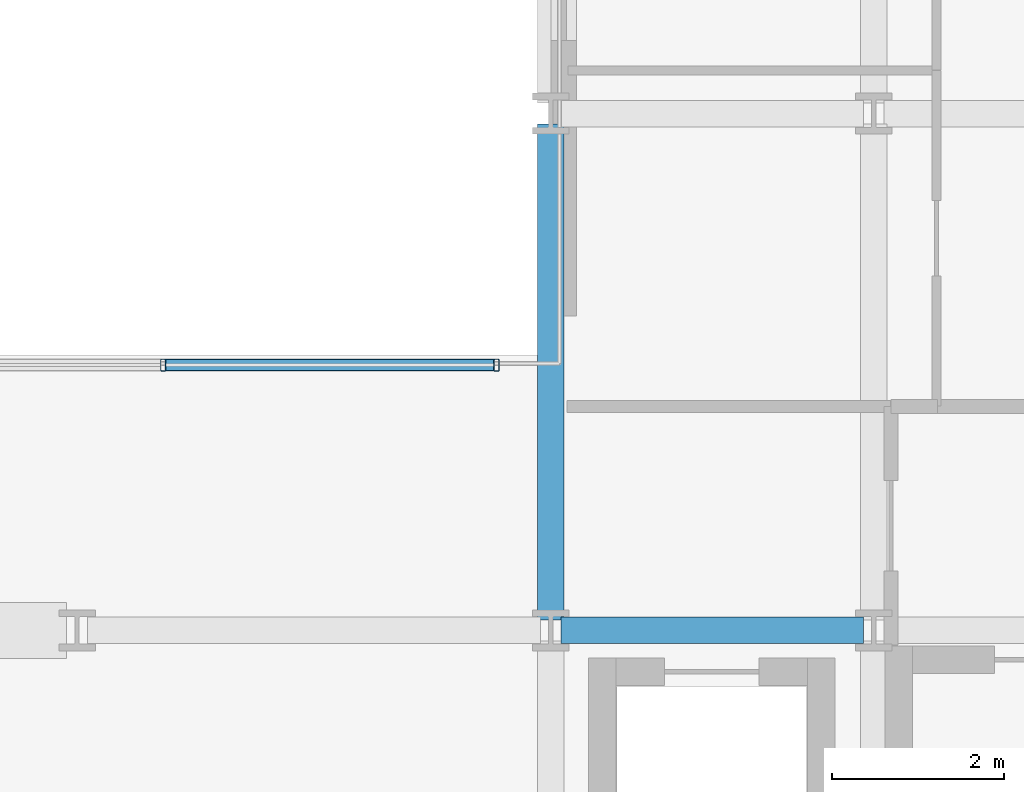
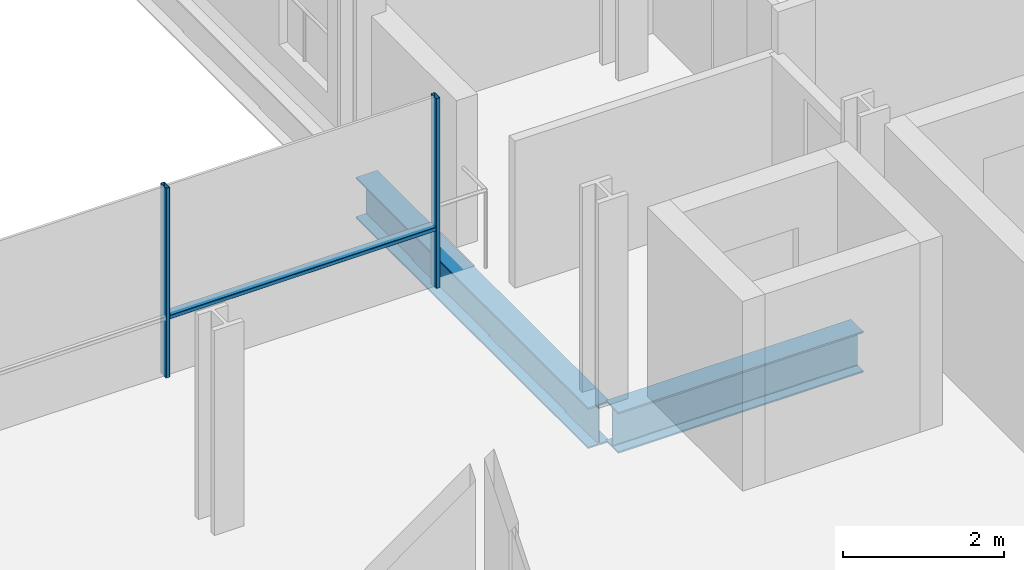
# One storey, part 13 of 39: 3 members, 2 beams, 1 element without a shape of its own.
"""IFC4 building model written with IfcOpenShell, lengths in metres."""

import ifcopenshell
import ifcopenshell.guid

model = None  # the IFC model being written
_history = None  # IfcOwnerHistory: only IFC2X3 demands one
_inside = {}  # id of a spatial element -> (the spatial element, [elements in it])
_under = {}  # id of a project, library or spatial element -> (it, [spatial elements below it])
_declared = {}  # id of a project -> (the project, [libraries it declares])
_typed = {}  # id of a type object -> (the type object, [elements of that type])
_made_of = {}  # id of a material, layer set ... -> (it, [elements and type objects made of it])


def new_model(schema):
    """Start an empty IFC model of exactly this schema.

    Asked for "IFC4X3", IfcOpenShell would pick the latest addendum, in which some entities
    have other attributes; the version numbers below select the first issue.
    IFC2X3 requires an IfcOwnerHistory on every rooted entity: one is made here for all.
    """
    global model, _history
    if schema == "IFC4X3":
        model = ifcopenshell.file(schema_version=(4, 3, 0, 0))
    else:
        model = ifcopenshell.file(schema=schema)
    _inside.clear()
    _under.clear()
    _declared.clear()
    _typed.clear()
    _made_of.clear()
    _history = None
    if model.schema == "IFC2X3":
        org = make("IfcOrganization", Name="unknown")
        user = make(
            "IfcPersonAndOrganization",
            ThePerson=make("IfcPerson", FamilyName="unknown"),
            TheOrganization=org,
        )
        app = make(
            "IfcApplication",
            ApplicationDeveloper=org,
            Version="unknown",
            ApplicationFullName="unknown",
            ApplicationIdentifier="unknown",
        )
        _history = make(
            "IfcOwnerHistory",
            OwningUser=user,
            OwningApplication=app,
            ChangeAction="ADDED",
            CreationDate=0,
        )
    return model


def make(cls, **values):
    """One entity of the class cls with the attributes given. An attribute that is None is left unset."""
    return model.create_entity(
        cls, **{name: value for name, value in values.items() if value is not None}
    )


def rooted(cls, **values):
    """An entity with a GlobalId (a new one), such as an element, a storey or a relation."""
    return make(cls, GlobalId=ifcopenshell.guid.new(), OwnerHistory=_history, **values)


def si_unit(unit_type, name, prefix=None):
    """IfcSIUnit, for example si_unit("LENGTHUNIT", "METRE", prefix="MILLI")."""
    return make("IfcSIUnit", UnitType=unit_type, Prefix=prefix, Name=name)


def assignment(units):
    """IfcUnitAssignment: the units of a project."""
    return None if units is None else make("IfcUnitAssignment", Units=units)


def point(xyz):
    """IfcCartesianPoint."""
    return None if xyz is None else make("IfcCartesianPoint", Coordinates=xyz)


def direction(xyz):
    """IfcDirection."""
    return None if xyz is None else make("IfcDirection", DirectionRatios=xyz)


def frame(location, z_axis=None, x_axis=None):
    """IfcAxis2Placement3D, a coordinate frame: its origin and axes. An axis left out is left unset."""
    return make(
        "IfcAxis2Placement3D",
        Location=point(location),
        Axis=direction(z_axis),
        RefDirection=direction(x_axis),
    )


def frame_2d(location, x_axis=None):
    """IfcAxis2Placement2D, a coordinate frame in the plane: its origin and x axis."""
    return make(
        "IfcAxis2Placement2D", Location=point(location), RefDirection=direction(x_axis)
    )


def origin():
    """The frame at (0, 0, 0) with its axes left unset."""
    return frame((0.0, 0.0, 0.0))


def origin_2d():
    """The frame at (0, 0) in the plane with its x axis left unset."""
    return frame_2d((0.0, 0.0))


def place(relative_to, where):
    """IfcLocalPlacement: puts the frame where relative to a parent placement (None: the world)."""
    return make(
        "IfcLocalPlacement", PlacementRelTo=relative_to, RelativePlacement=where
    )


def context(
    kind, dimensions, precision=None, world=None, true_north=None, identifier=None
):
    """IfcGeometricRepresentationContext, for example the 3D "Model" context."""
    return make(
        "IfcGeometricRepresentationContext",
        ContextIdentifier=identifier,
        ContextType=kind,
        CoordinateSpaceDimension=dimensions,
        Precision=precision,
        WorldCoordinateSystem=world,
        TrueNorth=true_north,
    )


def subcontext(parent, identifier, kind, view, scale=None):
    """IfcGeometricRepresentationSubContext, for example "Body" below "Model"."""
    return make(
        "IfcGeometricRepresentationSubContext",
        ContextIdentifier=identifier,
        ContextType=kind,
        ParentContext=parent,
        TargetScale=scale,
        TargetView=view,
    )


def project(units=None, contexts=None):
    """IfcProject with its units and contexts."""
    return rooted(
        "IfcProject",
        Name="project",
        RepresentationContexts=contexts,
        UnitsInContext=assignment(units),
    )


def spatial(cls, under=None, at=None, **own):
    """A site, building, storey or space (cls), placed at a placement, below another one or the project."""
    s = rooted(cls, ObjectPlacement=at, **own)
    if under is not None:
        _under.setdefault(under.id(), (under, []))[1].append(s)
    return s


def profile(cls, at=None, kind="AREA", **sizes):
    """A parametric profile (cls). Its sizes go by their IFC names, for example OverallWidth=200.0."""
    return make(cls, ProfileType=kind, Position=at, **sizes)


def hollow_rectangle(**sizes):
    """IfcRectangleHollowProfileDef."""
    return profile("IfcRectangleHollowProfileDef", **sizes)


def i_section(**sizes):
    """IfcIShapeProfileDef."""
    return profile("IfcIShapeProfileDef", **sizes)


def extrude(swept, where, along, depth):
    """IfcExtrudedAreaSolid: the profile swept, set in the frame where, extruded along a direction by depth."""
    return make(
        "IfcExtrudedAreaSolid",
        SweptArea=swept,
        Position=where,
        ExtrudedDirection=direction(along),
        Depth=depth,
    )


def shape(context_of_items, identifier, shape_type, items):
    """IfcShapeRepresentation: the items that make up one representation, for example the "Body"."""
    return make(
        "IfcShapeRepresentation",
        ContextOfItems=context_of_items,
        RepresentationIdentifier=identifier,
        RepresentationType=shape_type,
        Items=items,
    )


def material(Name=None, Category=None):
    """IfcMaterial."""
    return make("IfcMaterial", Name=Name, Category=Category)


def layer(
    of_material, thickness, ventilated=None, Name=None, Category=None, Priority=None
):
    """IfcMaterialLayer: one layer of a wall or slab, of a material (None: an air gap)."""
    return make(
        "IfcMaterialLayer",
        Material=of_material,
        LayerThickness=thickness,
        IsVentilated=ventilated,
        Name=Name,
        Category=Category,
        Priority=Priority,
    )


def layer_set(layers, Name=None):
    """IfcMaterialLayerSet."""
    return make("IfcMaterialLayerSet", MaterialLayers=layers, LayerSetName=Name)


def material_profile(
    of_material, cross_section, Name=None, Category=None, Priority=None
):
    """IfcMaterialProfile: a cross section and its material."""
    return make(
        "IfcMaterialProfile",
        Name=Name,
        Material=of_material,
        Profile=cross_section,
        Priority=Priority,
        Category=Category,
    )


def profile_set(profiles, Name=None, composite=None):
    """IfcMaterialProfileSet."""
    return make(
        "IfcMaterialProfileSet",
        Name=Name,
        MaterialProfiles=profiles,
        CompositeProfile=composite,
    )


def made_of(thing, what):
    """Note that an element or type object is made of a material, layer set ...; save() writes the relation."""
    if what is not None:
        _made_of.setdefault(what.id(), (what, []))[1].append(thing)
    return thing


def type_object(cls, material=None, **own):
    """A type object (cls), such as IfcWallType, which elements share."""
    return made_of(rooted(cls, **own), material)


def element(
    cls,
    number,
    at=None,
    inside=None,
    cuts=None,
    type_object=None,
    material=None,
    context=None,
    identifier="Body",
    shape_type=None,
    held_by="IfcProductDefinitionShape",
    body=None,
    shapes=None,
    **own,
):
    """One element of the class cls, such as IfcWall. Its Tag is "e" and its number.

    at: its placement. inside: the storey or other place that contains it. cuts: it is an
    opening in that element (IfcRelVoidsElement). A single representation is given by context,
    identifier, shape_type and body (its items); several are given by shapes. held_by: the class
    of the entity that holds the representations. save() writes the other relations.
    """
    e = rooted(cls, Tag="e%d" % number, ObjectPlacement=at, **own)
    if body is not None:
        shapes = [shape(context, identifier, shape_type, body)]
    if shapes is not None:
        e.Representation = make(held_by, Representations=shapes)
    if inside is not None:
        _inside.setdefault(inside.id(), (inside, []))[1].append(e)
    if cuts is not None:
        rooted(
            "IfcRelVoidsElement", RelatingBuildingElement=cuts, RelatedOpeningElement=e
        )
    if type_object is not None:
        _typed.setdefault(type_object.id(), (type_object, []))[1].append(e)
    return made_of(e, material)


def aggregate(whole, parts):
    """IfcRelAggregates: a whole, such as a stair, and the parts it consists of."""
    return rooted("IfcRelAggregates", RelatingObject=whole, RelatedObjects=parts)


def save(model, path):
    """Write the relations noted so far, then the file.

    IfcRelAggregates (storeys below a building ...), IfcRelContainedInSpatialStructure (elements
    in a storey), IfcRelDefinesByType, IfcRelAssociatesMaterial and IfcRelDeclares: one each for
    every whole, place, type object, material and project.
    """
    for whole, parts in _under.values():
        aggregate(whole, parts)
    for where, things in _inside.values():
        rooted(
            "IfcRelContainedInSpatialStructure",
            RelatedElements=things,
            RelatingStructure=where,
        )
    for kind, things in _typed.values():
        rooted("IfcRelDefinesByType", RelatedObjects=things, RelatingType=kind)
    for what, things in _made_of.values():
        rooted("IfcRelAssociatesMaterial", RelatedObjects=things, RelatingMaterial=what)
    for by, libraries in _declared.values():
        rooted("IfcRelDeclares", RelatingContext=by, RelatedDefinitions=libraries)
    model.write(path)


model = new_model("IFC4")

# Units and contexts
model_context = context("Model", 3, precision=1e-05, world=origin(), true_north=direction((0.0, 1.0)))
body_context = subcontext(model_context, "Body", "Model", "MODEL_VIEW")
ifc_project = project(units=[si_unit("LENGTHUNIT", "METRE"), si_unit("AREAUNIT", "SQUARE_METRE"), si_unit("VOLUMEUNIT", "CUBIC_METRE"), si_unit("PLANEANGLEUNIT", "RADIAN"), si_unit("MASSUNIT", "GRAM", prefix="KILO")], contexts=[model_context])

# Site, building, storey
site_placement = place(None, origin())
site = spatial("IfcSite", under=ifc_project, at=site_placement, CompositionType="ELEMENT")
building_placement = place(site_placement, origin())
building = spatial("IfcBuilding", under=site, at=building_placement, Name="Brevholm Reach", CompositionType="ELEMENT")
storey_placement = place(building_placement, frame((0.0, 0.0, 40.39990234375)))
storey = spatial("IfcBuildingStorey", under=building, at=storey_placement, Name="L10", CompositionType="ELEMENT", Elevation=40.39990234375)

# Beams
ifc_material_1 = material(Name="Structural Steel S355J2", Category="steel")
ifc_material_profile_1 = material_profile(ifc_material_1, i_section(OverallWidth=0.30712890625, OverallDepth=0.6201171875, WebThickness=0.01416015625, FlangeThickness=0.023681640625, FilletRadius=0.0166015625, at=origin_2d()), Name="UKB 610x305x179")
ifc_profile_set_1 = profile_set([ifc_material_profile_1], Name="Structural Steel S355J2")
beam_type = type_object("IfcBeamType", Name="BM-UKB610H", PredefinedType="USERDEFINED", material=ifc_profile_set_1)
beam_1_placement = place(storey_placement, frame((38.3701171875, 10.0, -0.5400390625), z_axis=(1.0, 0.0, 0.0), x_axis=(0.0, 1.0, 0.0)))
element("IfcBeam", 1, at=beam_1_placement, inside=storey, type_object=beam_type, Name="L10 G-06 Framing Beam", ObjectType="GIRDER", PredefinedType="USERDEFINED", context=body_context, shape_type="SweptSolid", body=[
    extrude(i_section(OverallWidth=0.30712890625, OverallDepth=0.6201171875, WebThickness=0.01416015625, FlangeThickness=0.023681640625, FilletRadius=0.0166015625, at=origin_2d()), origin(), (0.0, 0.0, 1.0), 3.509765625),
])
beam_2_placement = place(storey_placement, frame((38.25, 10.1201171875, -0.5400390625), z_axis=(0.0, 1.0, 0.0), x_axis=(-1.0, 0.0, 0.0)))
element("IfcBeam", 2, at=beam_2_placement, inside=storey, type_object=beam_type, Name="L10 G-06 Framing Beam", ObjectType="GIRDER", PredefinedType="USERDEFINED", context=body_context, shape_type="SweptSolid", body=[
    extrude(i_section(OverallWidth=0.30712890625, OverallDepth=0.6201171875, WebThickness=0.01416015625, FlangeThickness=0.023681640625, FilletRadius=0.0166015625, at=origin_2d()), origin(), (0.0, 0.0, 1.0), 5.759765625),
])

# Curtain wall, members
ifc_material_2 = material(Name="Dark Anodised Aluminium 6063-T6 and Solar-Control Glass", Category="aluminium")
ifc_layer = layer(ifc_material_2, 0.139892578125)
ifc_layer_set = layer_set([ifc_layer], Name="Dark Anodised Aluminium 6063-T6 and Solar-Control Glass")
curtain_wall_type = type_object("IfcCurtainWallType", Name="CW-02", PredefinedType="NOTDEFINED", material=ifc_layer_set)
curtain_wall_placement = place(storey_placement, origin())
curtain_wall = element("IfcCurtainWall", 3, at=curtain_wall_placement, inside=storey, type_object=curtain_wall_type, Name="L10 Curtain Wall CW-02", PredefinedType="NOTDEFINED")
ifc_material_3 = material(Name="Dark Anodised Aluminium 6063-T6", Category="aluminium")
ifc_material_profile_2 = material_profile(ifc_material_3, hollow_rectangle(XDim=0.06005859375, YDim=0.139892578125, WallThickness=0.0048828125, InnerFilletRadius=0.0048828125, OuterFilletRadius=0.010009765625, at=origin_2d()), Name="RHS 140x60x5")
ifc_profile_set_2 = profile_set([ifc_material_profile_2], Name="Dark Anodised Aluminium 6063-T6")
member_type_1 = type_object("IfcMemberType", Name="CWM-140", PredefinedType="MULLION", material=ifc_profile_set_2)
member_1_placement = place(storey_placement, frame((33.75, 13.080078125, 0.0), z_axis=(0.0, 0.0, 1.0), x_axis=(1.0, 0.0, 0.0)))
member_1 = element("IfcMember", 4, at=member_1_placement, type_object=member_type_1, Name="CM-140 Mullion 4", PredefinedType="MULLION", context=body_context, shape_type="SweptSolid", body=[
    extrude(hollow_rectangle(XDim=0.06005859375, YDim=0.139892578125, WallThickness=0.0048828125, InnerFilletRadius=0.0048828125, OuterFilletRadius=0.010009765625, at=origin_2d()), origin(), (0.0, 0.0, 1.0), 2.8701171875),
])
member_2_placement = place(storey_placement, frame((37.6201171875, 13.080078125, 0.0), z_axis=(0.0, 0.0, 1.0), x_axis=(1.0, 0.0, 0.0)))
member_2 = element("IfcMember", 5, at=member_2_placement, type_object=member_type_1, Name="CM-140 Mullion 5", PredefinedType="MULLION", context=body_context, shape_type="SweptSolid", body=[
    extrude(hollow_rectangle(XDim=0.06005859375, YDim=0.139892578125, WallThickness=0.0048828125, InnerFilletRadius=0.0048828125, OuterFilletRadius=0.010009765625, at=origin_2d()), origin(), (0.0, 0.0, 1.0), 2.8701171875),
])
ifc_material_4 = material(Name="Dark Anodised Aluminium 6063-T6", Category="aluminium")
ifc_material_profile_3 = material_profile(ifc_material_4, hollow_rectangle(XDim=0.06005859375, YDim=0.139892578125, WallThickness=0.0048828125, InnerFilletRadius=0.0048828125, OuterFilletRadius=0.010009765625, at=origin_2d()), Name="RHS 140x60x5")
ifc_profile_set_3 = profile_set([ifc_material_profile_3], Name="Dark Anodised Aluminium 6063-T6")
member_type_2 = type_object("IfcMemberType", Name="CWT-140", PredefinedType="NOTDEFINED", material=ifc_profile_set_3)
member_3_placement = place(storey_placement, frame((33.780029296875, 13.080078125, 0.900146484375), z_axis=(1.0, 0.0, 0.0), x_axis=(0.0, 0.0, 1.0)))
member_3 = element("IfcMember", 6, at=member_3_placement, type_object=member_type_2, Name="CT-140 Transom 4.1", ObjectType="TRANSOM", PredefinedType="USERDEFINED", context=body_context, shape_type="SweptSolid", body=[
    extrude(hollow_rectangle(XDim=0.06005859375, YDim=0.139892578125, WallThickness=0.0048828125, InnerFilletRadius=0.0048828125, OuterFilletRadius=0.010009765625, at=origin_2d()), origin(), (0.0, 0.0, 1.0), 3.81005859375),
])
aggregate(curtain_wall, [member_1, member_2, member_3])

save(model, "model.ifc")
